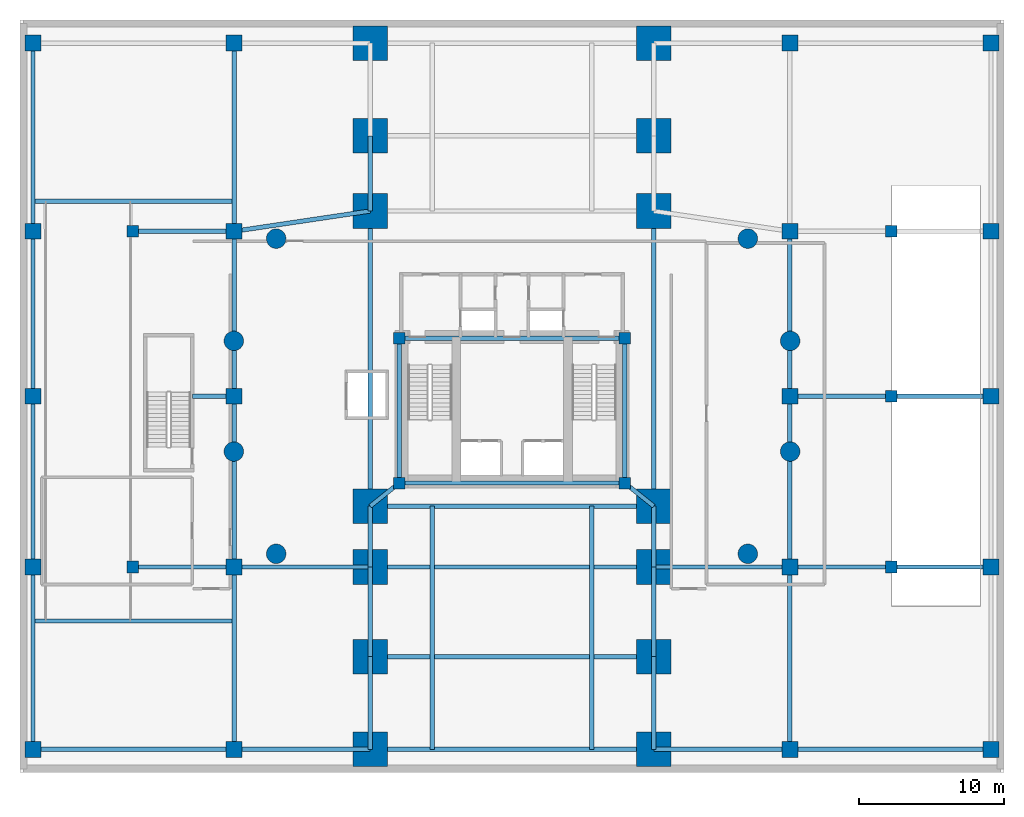
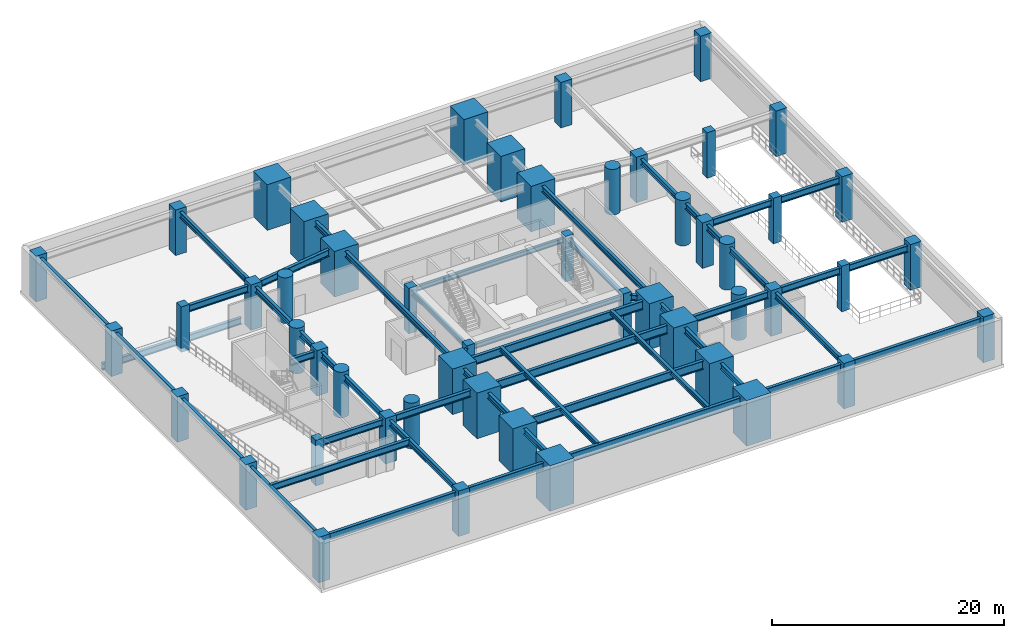
# One storey, part 1 of 7: 51 columns, 46 beams.
"""IFC4 building model written with IfcOpenShell, lengths in metres."""

from ifc_helpers import new_model, si_unit, direction, frame, origin, origin_2d, place, context, subcontext, project, spatial, rectangle, circle, i_section, extrude, material, material_profile, profile_set, type_object, element, save


model = new_model("IFC4")

# Units and contexts
model_context = context("Model", 3, precision=1e-05, world=origin(), true_north=direction((0.0, 1.0)))
body_context = subcontext(model_context, "Body", "Model", "MODEL_VIEW")
ifc_project = project(units=[si_unit("LENGTHUNIT", "METRE"), si_unit("AREAUNIT", "SQUARE_METRE"), si_unit("VOLUMEUNIT", "CUBIC_METRE"), si_unit("PLANEANGLEUNIT", "RADIAN"), si_unit("MASSUNIT", "GRAM", prefix="KILO"), si_unit("THERMODYNAMICTEMPERATUREUNIT", "KELVIN"), si_unit("POWERUNIT", "WATT")], contexts=[model_context])

# Site, building, storey
site_placement = place(None, origin())
site = spatial("IfcSite", under=ifc_project, at=site_placement, CompositionType="ELEMENT")
building_placement = place(site_placement, origin())
building = spatial("IfcBuilding", under=site, at=building_placement, Name="Ocrelia Relay Tower", CompositionType="ELEMENT")
storey_placement = place(building_placement, frame((0.0, 0.0, -4.800048828125)))
storey = spatial("IfcBuildingStorey", under=building, at=storey_placement, Name="B1", CompositionType="ELEMENT", Elevation=-4.800048828125)

# Columns
ifc_material_1 = material(Name="Concrete C70/85", Category="concrete")
ifc_material_profile_1 = material_profile(ifc_material_1, rectangle(XDim=1.10009765625, YDim=1.10009765625, at=origin_2d()), Name="RC-COL-1100x1100")
ifc_profile_set_1 = profile_set([ifc_material_profile_1], Name="Concrete C70/85")
column_type_1 = type_object("IfcColumnType", Name="COL-CC-1100", PredefinedType="COLUMN", material=ifc_profile_set_1)
for number, where, z_axis, x_axis, name in (
    (1, (0.89990234375, 1.60009765625, 0.0), (0.0, 0.0, 1.0), (1.0, 0.0, 0.0), "B1 Podium Column PC01"),
    (2, (0.89990234375, 14.199951171875, 0.0), (0.0, 0.0, 1.0), (1.0, 0.0, 0.0), "B1 Podium Column PC02"),
    (3, (0.89990234375, 26.0, 0.0), (0.0, 0.0, 1.0), (1.0, 0.0, 0.0), "B1 Podium Column PC03"),
    (4, (0.89990234375, 37.39990234375, 0.0), (0.0, 0.0, 1.0), (1.0, 0.0, 0.0), "B1 Podium Column PC04"),
    (5, (0.89990234375, 50.39990234375, 0.0), (0.0, 0.0, 1.0), (1.0, 0.0, 0.0), "B1 Podium Column PC05"),
    (6, (14.800048828125, 1.60009765625, 0.0), (0.0, 0.0, 1.0), (1.0, 0.0, 0.0), "B1 Podium Column PC06"),
    (7, (14.800048828125, 14.199951171875, 0.0), (0.0, 0.0, 1.0), (1.0, 0.0, 0.0), "B1 Podium Column PC07"),
    (8, (14.800048828125, 26.0, 0.0), (0.0, 0.0, 1.0), (1.0, 0.0, 0.0), "B1 Podium Column PC08"),
    (9, (14.800048828125, 37.39990234375, 0.0), (0.0, 0.0, 1.0), (1.0, 0.0, 0.0), "B1 Podium Column PC09"),
    (10, (14.800048828125, 50.39990234375, 0.0), (0.0, 0.0, 1.0), (1.0, 0.0, 0.0), "B1 Podium Column PC10"),
    (11, (53.199951171875, 1.60009765625, 0.0), (0.0, 0.0, 1.0), (1.0, 0.0, 0.0), "B1 Podium Column PC11"),
    (12, (53.199951171875, 14.199951171875, 0.0), (0.0, 0.0, 1.0), (1.0, 0.0, 0.0), "B1 Podium Column PC12"),
    (13, (53.199951171875, 26.0, 0.0), (0.0, 0.0, 1.0), (1.0, 0.0, 0.0), "B1 Podium Column PC13"),
    (14, (53.199951171875, 37.39990234375, 0.0), (0.0, 0.0, 1.0), (1.0, 0.0, 0.0), "B1 Podium Column PC14"),
    (15, (53.199951171875, 50.39990234375, 0.0), (0.0, 0.0, 1.0), (1.0, 0.0, 0.0), "B1 Podium Column PC15"),
    (16, (67.10009765625, 1.60009765625, 0.0), (0.0, 0.0, 1.0), (1.0, 0.0, 0.0), "B1 Podium Column PC16"),
    (17, (67.10009765625, 14.199951171875, 0.0), (0.0, 0.0, 1.0), (1.0, 0.0, 0.0), "B1 Podium Column PC17"),
    (18, (67.10009765625, 26.0, 0.0), (0.0, 0.0, 1.0), (1.0, 0.0, 0.0), "B1 Podium Column PC18"),
    (19, (67.10009765625, 37.39990234375, 0.0), (0.0, 0.0, 1.0), (1.0, 0.0, 0.0), "B1 Podium Column PC19"),
    (20, (67.10009765625, 50.39990234375, 0.0), (0.0, 0.0, 1.0), (1.0, 0.0, 0.0), "B1 Podium Column PC20"),
):
    element("IfcColumn", number, at=place(storey_placement, frame(where, z_axis=z_axis, x_axis=x_axis)), inside=storey, type_object=column_type_1, Name=name, PredefinedType="COLUMN", context=body_context, shape_type="SweptSolid", body=[
        extrude(rectangle(XDim=1.10009765625, YDim=1.10009765625, at=origin_2d()), origin(), (0.0, 0.0, 1.0), 4.800048828125),
    ])
ifc_material_2 = material(Name="Concrete C50/60", Category="concrete")
ifc_material_profile_2 = material_profile(ifc_material_2, rectangle(XDim=0.800048828125, YDim=0.800048828125, at=origin_2d()), Name="RC-COL-800x800")
ifc_profile_set_2 = profile_set([ifc_material_profile_2], Name="Concrete C50/60")
column_type_2 = type_object("IfcColumnType", Name="COL-CC-800", PredefinedType="COLUMN", material=ifc_profile_set_2)
for number, where, z_axis, x_axis, name in (
    (21, (7.800048828125, 14.199951171875, 0.0), (0.0, 0.0, 1.0), (1.0, 0.0, 0.0), "B1 Vehicle Ramp Well Trimmer Column W1"),
    (22, (7.800048828125, 37.39990234375, 0.0), (0.0, 0.0, 1.0), (1.0, 0.0, 0.0), "B1 Vehicle Ramp Well Trimmer Column W2"),
    (23, (60.199951171875, 14.199951171875, 0.0), (0.0, 0.0, 1.0), (1.0, 0.0, 0.0), "B1 Vehicle Ramp Well Trimmer Column E1"),
    (24, (60.199951171875, 26.0, 0.0), (0.0, 0.0, 1.0), (1.0, 0.0, 0.0), "B1 Vehicle Ramp Well Trimmer Column E2"),
    (25, (60.199951171875, 37.39990234375, 0.0), (0.0, 0.0, 1.0), (1.0, 0.0, 0.0), "B1 Vehicle Ramp Well Trimmer Column E3"),
):
    element("IfcColumn", number, at=place(storey_placement, frame(where, z_axis=z_axis, x_axis=x_axis)), inside=storey, type_object=column_type_2, Name=name, PredefinedType="COLUMN", context=body_context, shape_type="SweptSolid", body=[
        extrude(rectangle(XDim=0.800048828125, YDim=0.800048828125, at=origin_2d()), origin(), (0.0, 0.0, 1.0), 4.800048828125),
    ])
ifc_material_profile_3 = material_profile(ifc_material_1, circle(Radius=0.675048828125, at=origin_2d()), Name="RC-CIR-1350")
ifc_profile_set_3 = profile_set([ifc_material_profile_3], Name="Concrete C70/85")
column_type_3 = type_object("IfcColumnType", Name="COL-CT-1350", PredefinedType="COLUMN", material=ifc_profile_set_3)
for number, where, z_axis, x_axis, name in (
    (26, (53.223388671875, 29.82373046875, 0.0), (0.0, 0.0, 1.0), (1.0, 0.0, 0.0), "B1 Tower Ring Column Z1-01"),
    (27, (50.296875, 36.88916015625, 0.0), (0.0, 0.0, 1.0), (1.0, 0.0, 0.0), "B1 Tower Ring Column Z1-02"),
    (28, (17.703125, 36.88916015625, 0.0), (0.0, 0.0, 1.0), (1.0, 0.0, 0.0), "B1 Tower Ring Column Z1-07"),
    (29, (14.776611328125, 29.82373046875, 0.0), (0.0, 0.0, 1.0), (1.0, 0.0, 0.0), "B1 Tower Ring Column Z1-08"),
    (30, (14.776611328125, 22.17626953125, 0.0), (0.0, 0.0, 1.0), (1.0, 0.0, 0.0), "B1 Tower Ring Column Z1-09"),
    (31, (17.703125, 15.11083984375, 0.0), (0.0, 0.0, 1.0), (1.0, 0.0, 0.0), "B1 Tower Ring Column Z1-10"),
    (32, (50.296875, 15.11083984375, 0.0), (0.0, 0.0, 1.0), (1.0, 0.0, 0.0), "B1 Tower Ring Column Z1-15"),
    (33, (53.223388671875, 22.17626953125, 0.0), (0.0, 0.0, 1.0), (1.0, 0.0, 0.0), "B1 Tower Ring Column Z1-16"),
):
    element("IfcColumn", number, at=place(storey_placement, frame(where, z_axis=z_axis, x_axis=x_axis)), inside=storey, type_object=column_type_3, Name=name, PredefinedType="COLUMN", context=body_context, shape_type="SweptSolid", body=[
        extrude(circle(Radius=0.675048828125, at=origin_2d()), origin(), (0.0, 0.0, 1.0), 4.800048828125),
    ])
ifc_material_profile_4 = material_profile(ifc_material_1, rectangle(XDim=2.39990234375, YDim=2.39990234375, at=origin_2d()), Name="RC-PIER-2400x2400")
ifc_profile_set_4 = profile_set([ifc_material_profile_4], Name="Concrete C70/85")
column_type_4 = type_object("IfcColumnType", Name="COL-PIER-2400", PredefinedType="USERDEFINED", material=ifc_profile_set_4)
for number, where, z_axis, x_axis, name in (
    (34, (24.199951171875, 1.60009765625, 0.0), (0.0, 0.0, 1.0), (1.0, 0.0, 0.0), "B1 Portal Arch Pier P01"),
    (35, (24.199951171875, 8.0, 0.0), (0.0, 0.0, 1.0), (1.0, 0.0, 0.0), "B1 Portal Arch Pier P02"),
    (36, (24.199951171875, 14.199951171875, 0.0), (0.0, 0.0, 1.0), (1.0, 0.0, 0.0), "B1 Portal Arch Pier P03"),
    (37, (24.199951171875, 18.39990234375, 0.0), (0.0, 0.0, 1.0), (1.0, 0.0, 0.0), "B1 Portal Arch Pier P04"),
    (38, (24.199951171875, 38.800048828125, 0.0), (0.0, 0.0, 1.0), (1.0, 0.0, 0.0), "B1 Portal Arch Pier P05"),
    (39, (24.199951171875, 44.0, 0.0), (0.0, 0.0, 1.0), (1.0, 0.0, 0.0), "B1 Portal Arch Pier P06"),
    (40, (24.199951171875, 50.39990234375, 0.0), (0.0, 0.0, 1.0), (1.0, 0.0, 0.0), "B1 Portal Arch Pier P07"),
    (41, (43.800048828125, 1.60009765625, 0.0), (0.0, 0.0, 1.0), (1.0, 0.0, 0.0), "B1 Portal Arch Pier P08"),
    (42, (43.800048828125, 8.0, 0.0), (0.0, 0.0, 1.0), (1.0, 0.0, 0.0), "B1 Portal Arch Pier P09"),
    (43, (43.800048828125, 14.199951171875, 0.0), (0.0, 0.0, 1.0), (1.0, 0.0, 0.0), "B1 Portal Arch Pier P10"),
    (44, (43.800048828125, 18.39990234375, 0.0), (0.0, 0.0, 1.0), (1.0, 0.0, 0.0), "B1 Portal Arch Pier P11"),
    (45, (43.800048828125, 38.800048828125, 0.0), (0.0, 0.0, 1.0), (1.0, 0.0, 0.0), "B1 Portal Arch Pier P12"),
    (46, (43.800048828125, 44.0, 0.0), (0.0, 0.0, 1.0), (1.0, 0.0, 0.0), "B1 Portal Arch Pier P13"),
    (47, (43.800048828125, 50.39990234375, 0.0), (0.0, 0.0, 1.0), (1.0, 0.0, 0.0), "B1 Portal Arch Pier P14"),
):
    element("IfcColumn", number, at=place(storey_placement, frame(where, z_axis=z_axis, x_axis=x_axis)), inside=storey, type_object=column_type_4, Name=name, ObjectType="PORTAL PIER", PredefinedType="USERDEFINED", context=body_context, shape_type="SweptSolid", body=[
        extrude(rectangle(XDim=2.39990234375, YDim=2.39990234375, at=origin_2d()), origin(), (0.0, 0.0, 1.0), 4.800048828125),
    ])
ifc_material_3 = material(Name="Concrete C60/75", Category="concrete")
ifc_material_profile_5 = material_profile(ifc_material_3, rectangle(XDim=0.800048828125, YDim=0.800048828125, at=origin_2d()), Name="RC-COL-800x800")
ifc_profile_set_5 = profile_set([ifc_material_profile_5], Name="Concrete C60/75")
column_type_5 = type_object("IfcColumnType", Name="COL-PILASTER-800", PredefinedType="PILASTER", material=ifc_profile_set_5)
for number, where, z_axis, x_axis, name in (
    (48, (26.199951171875, 20.0, 0.0), (0.0, 0.0, 1.0), (1.0, 0.0, 0.0), "B1 Core Corner Pilaster SW"),
    (49, (41.800048828125, 20.0, 0.0), (0.0, 0.0, 1.0), (1.0, 0.0, 0.0), "B1 Core Corner Pilaster SE"),
    (50, (26.199951171875, 30.0, 0.0), (0.0, 0.0, 1.0), (1.0, 0.0, 0.0), "B1 Core Corner Pilaster NW"),
    (51, (41.800048828125, 30.0, 0.0), (0.0, 0.0, 1.0), (1.0, 0.0, 0.0), "B1 Core Corner Pilaster NE"),
):
    element("IfcColumn", number, at=place(storey_placement, frame(where, z_axis=z_axis, x_axis=x_axis)), inside=storey, type_object=column_type_5, Name=name, PredefinedType="PILASTER", context=body_context, shape_type="SweptSolid", body=[
        extrude(rectangle(XDim=0.800048828125, YDim=0.800048828125, at=origin_2d()), origin(), (0.0, 0.0, 1.0), 4.800048828125),
    ])

# Beams
ifc_material_4 = material(Name="Steel S355", Category="steel")
ifc_material_profile_6 = material_profile(ifc_material_4, i_section(OverallWidth=0.300048828125, OverallDepth=0.5, WebThickness=0.014404296875, FlangeThickness=0.028076171875, FilletRadius=0.027099609375, at=origin_2d()), Name="HEB 500")
ifc_profile_set_6 = profile_set([ifc_material_profile_6], Name="Steel S355")
beam_type_1 = type_object("IfcBeamType", Name="BM-HEB500", PredefinedType="BEAM", material=ifc_profile_set_6)
for number, where, z_axis, x_axis, name in (
    (52, (28.5, 1.60009765625, 4.35009765625), (0.0, 1.0, 0.0), (-1.0, 0.0, 0.0), "B1 Portal Passage Paving Stringer SW"),
    (53, (39.5, 1.60009765625, 4.35009765625), (0.0, 1.0, 0.0), (-1.0, 0.0, 0.0), "B1 Portal Passage Paving Stringer SE"),
):
    element("IfcBeam", number, at=place(storey_placement, frame(where, z_axis=z_axis, x_axis=x_axis)), inside=storey, type_object=beam_type_1, Name=name, PredefinedType="BEAM", context=body_context, shape_type="SweptSolid", body=[
        extrude(i_section(OverallWidth=0.300048828125, OverallDepth=0.5, WebThickness=0.014404296875, FlangeThickness=0.028076171875, FilletRadius=0.027099609375, at=origin_2d()), origin(), (0.0, 0.0, 1.0), 16.7998046875),
    ])
for number, where, z_axis, x_axis, name in (
    (54, (26.199951171875, 20.0, 4.22998046875), (1.0, 0.0, 0.0), (0.0, 1.0, 0.0), "B1 Core Pilaster Tie Beam S"),
    (55, (26.199951171875, 30.0, 4.22998046875), (1.0, 0.0, 0.0), (0.0, 1.0, 0.0), "B1 Core Pilaster Tie Beam N"),
):
    element("IfcBeam", number, at=place(storey_placement, frame(where, z_axis=z_axis, x_axis=x_axis)), inside=storey, type_object=beam_type_1, Name=name, PredefinedType="BEAM", context=body_context, shape_type="SweptSolid", body=[
        extrude(i_section(OverallWidth=0.300048828125, OverallDepth=0.5, WebThickness=0.014404296875, FlangeThickness=0.028076171875, FilletRadius=0.027099609375, at=origin_2d()), origin(), (0.0, 0.0, 1.0), 15.60009765625),
    ])
for number, where, z_axis, x_axis, name in (
    (56, (26.199951171875, 20.0, 4.22998046875), (0.0, 1.0, 0.0), (-1.0, 0.0, 0.0), "B1 Core Pilaster Tie Beam W"),
    (57, (41.800048828125, 20.0, 4.22998046875), (0.0, 1.0, 0.0), (-1.0, 0.0, 0.0), "B1 Core Pilaster Tie Beam E"),
):
    element("IfcBeam", number, at=place(storey_placement, frame(where, z_axis=z_axis, x_axis=x_axis)), inside=storey, type_object=beam_type_1, Name=name, PredefinedType="BEAM", context=body_context, shape_type="SweptSolid", body=[
        extrude(i_section(OverallWidth=0.300048828125, OverallDepth=0.5, WebThickness=0.014404296875, FlangeThickness=0.028076171875, FilletRadius=0.027099609375, at=origin_2d()), origin(), (0.0, 0.0, 1.0), 10.0),
    ])
ifc_material_profile_7 = material_profile(ifc_material_4, i_section(OverallWidth=0.300048828125, OverallDepth=0.60009765625, WebThickness=0.015380859375, FlangeThickness=0.030029296875, FilletRadius=0.027099609375, at=origin_2d()), Name="HEB 600")
ifc_profile_set_7 = profile_set([ifc_material_profile_7], Name="Steel S355")
beam_type_2 = type_object("IfcBeamType", Name="BM-HEB600", PredefinedType="BEAM", material=ifc_profile_set_7)
beam_1_placement = place(storey_placement, frame((0.89990234375, 1.60009765625, 4.179931640625), z_axis=(0.0, 1.0, 0.0), x_axis=(-1.0, 0.0, 0.0)))
element("IfcBeam", 58, at=beam_1_placement, inside=storey, type_object=beam_type_2, Name="B1 Podium Span Girder W-1", PredefinedType="BEAM", context=body_context, shape_type="SweptSolid", body=[
    extrude(i_section(OverallWidth=0.300048828125, OverallDepth=0.60009765625, WebThickness=0.015380859375, FlangeThickness=0.030029296875, FilletRadius=0.027099609375, at=origin_2d()), origin(), (0.0, 0.0, 1.0), 12.599853515625),
])
beam_2_placement = place(storey_placement, frame((0.89990234375, 14.199951171875, 4.179931640625), z_axis=(0.0, 1.0, 0.0), x_axis=(-1.0, 0.0, 0.0)))
element("IfcBeam", 59, at=beam_2_placement, inside=storey, type_object=beam_type_2, Name="B1 Podium Span Girder W-2", PredefinedType="BEAM", context=body_context, shape_type="SweptSolid", body=[
    extrude(i_section(OverallWidth=0.300048828125, OverallDepth=0.60009765625, WebThickness=0.015380859375, FlangeThickness=0.030029296875, FilletRadius=0.027099609375, at=origin_2d()), origin(), (0.0, 0.0, 1.0), 11.800048828125),
])
beam_3_placement = place(storey_placement, frame((0.89990234375, 26.0, 4.179931640625), z_axis=(0.0, 1.0, 0.0), x_axis=(-1.0, 0.0, 0.0)))
element("IfcBeam", 60, at=beam_3_placement, inside=storey, type_object=beam_type_2, Name="B1 Podium Span Girder W-3", PredefinedType="BEAM", context=body_context, shape_type="SweptSolid", body=[
    extrude(i_section(OverallWidth=0.300048828125, OverallDepth=0.60009765625, WebThickness=0.015380859375, FlangeThickness=0.030029296875, FilletRadius=0.027099609375, at=origin_2d()), origin(), (0.0, 0.0, 1.0), 11.39990234375),
])
beam_4_placement = place(storey_placement, frame((0.89990234375, 37.39990234375, 4.179931640625), z_axis=(0.0, 1.0, 0.0), x_axis=(-1.0, 0.0, 0.0)))
element("IfcBeam", 61, at=beam_4_placement, inside=storey, type_object=beam_type_2, Name="B1 Podium Span Girder W-4", PredefinedType="BEAM", context=body_context, shape_type="SweptSolid", body=[
    extrude(i_section(OverallWidth=0.300048828125, OverallDepth=0.60009765625, WebThickness=0.015380859375, FlangeThickness=0.030029296875, FilletRadius=0.027099609375, at=origin_2d()), origin(), (0.0, 0.0, 1.0), 13.0),
])
beam_5_placement = place(storey_placement, frame((14.800048828125, 1.60009765625, 4.179931640625), z_axis=(0.0, 1.0, 0.0), x_axis=(-1.0, 0.0, 0.0)))
element("IfcBeam", 62, at=beam_5_placement, inside=storey, type_object=beam_type_2, Name="B1 Podium Span Girder IW-1", PredefinedType="BEAM", context=body_context, shape_type="SweptSolid", body=[
    extrude(i_section(OverallWidth=0.300048828125, OverallDepth=0.60009765625, WebThickness=0.015380859375, FlangeThickness=0.030029296875, FilletRadius=0.027099609375, at=origin_2d()), origin(), (0.0, 0.0, 1.0), 12.599853515625),
])
beam_6_placement = place(storey_placement, frame((14.800048828125, 14.199951171875, 4.179931640625), z_axis=(0.0, 1.0, 0.0), x_axis=(-1.0, 0.0, 0.0)))
element("IfcBeam", 63, at=beam_6_placement, inside=storey, type_object=beam_type_2, Name="B1 Podium Span Girder IW-2", PredefinedType="BEAM", context=body_context, shape_type="SweptSolid", body=[
    extrude(i_section(OverallWidth=0.300048828125, OverallDepth=0.60009765625, WebThickness=0.015380859375, FlangeThickness=0.030029296875, FilletRadius=0.027099609375, at=origin_2d()), origin(), (0.0, 0.0, 1.0), 11.800048828125),
])
beam_7_placement = place(storey_placement, frame((14.800048828125, 26.0, 4.179931640625), z_axis=(0.0, 1.0, 0.0), x_axis=(-1.0, 0.0, 0.0)))
element("IfcBeam", 64, at=beam_7_placement, inside=storey, type_object=beam_type_2, Name="B1 Podium Span Girder IW-3", PredefinedType="BEAM", context=body_context, shape_type="SweptSolid", body=[
    extrude(i_section(OverallWidth=0.300048828125, OverallDepth=0.60009765625, WebThickness=0.015380859375, FlangeThickness=0.030029296875, FilletRadius=0.027099609375, at=origin_2d()), origin(), (0.0, 0.0, 1.0), 11.39990234375),
])
beam_8_placement = place(storey_placement, frame((14.800048828125, 37.39990234375, 4.179931640625), z_axis=(0.0, 1.0, 0.0), x_axis=(-1.0, 0.0, 0.0)))
element("IfcBeam", 65, at=beam_8_placement, inside=storey, type_object=beam_type_2, Name="B1 Podium Span Girder IW-4", PredefinedType="BEAM", context=body_context, shape_type="SweptSolid", body=[
    extrude(i_section(OverallWidth=0.300048828125, OverallDepth=0.60009765625, WebThickness=0.015380859375, FlangeThickness=0.030029296875, FilletRadius=0.027099609375, at=origin_2d()), origin(), (0.0, 0.0, 1.0), 13.0),
])
beam_9_placement = place(storey_placement, frame((53.199951171875, 1.60009765625, 4.179931640625), z_axis=(0.0, 1.0, 0.0), x_axis=(-1.0, 0.0, 0.0)))
element("IfcBeam", 66, at=beam_9_placement, inside=storey, type_object=beam_type_2, Name="B1 Podium Span Girder IE-1", PredefinedType="BEAM", context=body_context, shape_type="SweptSolid", body=[
    extrude(i_section(OverallWidth=0.300048828125, OverallDepth=0.60009765625, WebThickness=0.015380859375, FlangeThickness=0.030029296875, FilletRadius=0.027099609375, at=origin_2d()), origin(), (0.0, 0.0, 1.0), 12.599853515625),
])
beam_10_placement = place(storey_placement, frame((53.199951171875, 14.199951171875, 4.179931640625), z_axis=(0.0, 1.0, 0.0), x_axis=(-1.0, 0.0, 0.0)))
element("IfcBeam", 67, at=beam_10_placement, inside=storey, type_object=beam_type_2, Name="B1 Podium Span Girder IE-2", PredefinedType="BEAM", context=body_context, shape_type="SweptSolid", body=[
    extrude(i_section(OverallWidth=0.300048828125, OverallDepth=0.60009765625, WebThickness=0.015380859375, FlangeThickness=0.030029296875, FilletRadius=0.027099609375, at=origin_2d()), origin(), (0.0, 0.0, 1.0), 11.800048828125),
])
beam_11_placement = place(storey_placement, frame((53.199951171875, 26.0, 4.179931640625), z_axis=(0.0, 1.0, 0.0), x_axis=(-1.0, 0.0, 0.0)))
element("IfcBeam", 68, at=beam_11_placement, inside=storey, type_object=beam_type_2, Name="B1 Podium Span Girder IE-3", PredefinedType="BEAM", context=body_context, shape_type="SweptSolid", body=[
    extrude(i_section(OverallWidth=0.300048828125, OverallDepth=0.60009765625, WebThickness=0.015380859375, FlangeThickness=0.030029296875, FilletRadius=0.027099609375, at=origin_2d()), origin(), (0.0, 0.0, 1.0), 11.39990234375),
])
beam_12_placement = place(storey_placement, frame((24.199951171875, 1.60009765625, 4.179931640625), z_axis=(0.0, 1.0, 0.0), x_axis=(-1.0, 0.0, 0.0)))
element("IfcBeam", 69, at=beam_12_placement, inside=storey, type_object=beam_type_2, Name="B1 Pier Line Tie Girder AW-1", PredefinedType="BEAM", context=body_context, shape_type="SweptSolid", body=[
    extrude(i_section(OverallWidth=0.300048828125, OverallDepth=0.60009765625, WebThickness=0.015380859375, FlangeThickness=0.030029296875, FilletRadius=0.027099609375, at=origin_2d()), origin(), (0.0, 0.0, 1.0), 6.39990234375),
])
beam_13_placement = place(storey_placement, frame((24.199951171875, 8.0, 4.179931640625), z_axis=(0.0, 1.0, 0.0), x_axis=(-1.0, 0.0, 0.0)))
element("IfcBeam", 70, at=beam_13_placement, inside=storey, type_object=beam_type_2, Name="B1 Pier Line Tie Girder AW-2", PredefinedType="BEAM", context=body_context, shape_type="SweptSolid", body=[
    extrude(i_section(OverallWidth=0.300048828125, OverallDepth=0.60009765625, WebThickness=0.015380859375, FlangeThickness=0.030029296875, FilletRadius=0.027099609375, at=origin_2d()), origin(), (0.0, 0.0, 1.0), 6.199951171875),
])
beam_14_placement = place(storey_placement, frame((24.199951171875, 14.199951171875, 4.179931640625), z_axis=(0.0, 1.0, 0.0), x_axis=(-1.0, 0.0, 0.0)))
element("IfcBeam", 71, at=beam_14_placement, inside=storey, type_object=beam_type_2, Name="B1 Pier Line Tie Girder AW-3", PredefinedType="BEAM", context=body_context, shape_type="SweptSolid", body=[
    extrude(i_section(OverallWidth=0.300048828125, OverallDepth=0.60009765625, WebThickness=0.015380859375, FlangeThickness=0.030029296875, FilletRadius=0.027099609375, at=origin_2d()), origin(), (0.0, 0.0, 1.0), 4.199951171875),
])
beam_15_placement = place(storey_placement, frame((24.199951171875, 38.800048828125, 4.179931640625), z_axis=(0.0, 1.0, 0.0), x_axis=(-1.0, 0.0, 0.0)))
element("IfcBeam", 72, at=beam_15_placement, inside=storey, type_object=beam_type_2, Name="B1 Pier Line Tie Girder AW-4", PredefinedType="BEAM", context=body_context, shape_type="SweptSolid", body=[
    extrude(i_section(OverallWidth=0.300048828125, OverallDepth=0.60009765625, WebThickness=0.015380859375, FlangeThickness=0.030029296875, FilletRadius=0.027099609375, at=origin_2d()), origin(), (0.0, 0.0, 1.0), 5.199951171875),
])
beam_16_placement = place(storey_placement, frame((24.199951171875, 18.39990234375, 4.179931640625), z_axis=(0.0, 1.0, 0.0), x_axis=(-1.0, 0.0, 0.0)))
element("IfcBeam", 73, at=beam_16_placement, inside=storey, type_object=beam_type_2, Name="B1 Pier Line Tie Girder AW-6", PredefinedType="BEAM", context=body_context, shape_type="SweptSolid", body=[
    extrude(i_section(OverallWidth=0.300048828125, OverallDepth=0.60009765625, WebThickness=0.015380859375, FlangeThickness=0.030029296875, FilletRadius=0.027099609375, at=origin_2d()), origin(), (0.0, 0.0, 1.0), 20.400146484375),
])
beam_17_placement = place(storey_placement, frame((24.199951171875, 18.39990234375, 4.179931640625), z_axis=(0.78085021034, 0.624718295724, 0.0), x_axis=(-0.624718295724, 0.78085021034, 0.0)))
element("IfcBeam", 74, at=beam_17_placement, inside=storey, type_object=beam_type_2, Name="B1 Core Pilaster Link Girder AWS", PredefinedType="BEAM", context=body_context, shape_type="SweptSolid", body=[
    extrude(i_section(OverallWidth=0.300048828125, OverallDepth=0.60009765625, WebThickness=0.015380859375, FlangeThickness=0.030029296875, FilletRadius=0.027099609375, at=origin_2d()), origin(), (0.0, 0.0, 1.0), 2.561279296875),
])
beam_18_placement = place(storey_placement, frame((43.800048828125, 1.60009765625, 4.179931640625), z_axis=(0.0, 1.0, 0.0), x_axis=(-1.0, 0.0, 0.0)))
element("IfcBeam", 75, at=beam_18_placement, inside=storey, type_object=beam_type_2, Name="B1 Pier Line Tie Girder AE-1", PredefinedType="BEAM", context=body_context, shape_type="SweptSolid", body=[
    extrude(i_section(OverallWidth=0.300048828125, OverallDepth=0.60009765625, WebThickness=0.015380859375, FlangeThickness=0.030029296875, FilletRadius=0.027099609375, at=origin_2d()), origin(), (0.0, 0.0, 1.0), 6.39990234375),
])
beam_19_placement = place(storey_placement, frame((43.800048828125, 8.0, 4.179931640625), z_axis=(0.0, 1.0, 0.0), x_axis=(-1.0, 0.0, 0.0)))
element("IfcBeam", 76, at=beam_19_placement, inside=storey, type_object=beam_type_2, Name="B1 Pier Line Tie Girder AE-2", PredefinedType="BEAM", context=body_context, shape_type="SweptSolid", body=[
    extrude(i_section(OverallWidth=0.300048828125, OverallDepth=0.60009765625, WebThickness=0.015380859375, FlangeThickness=0.030029296875, FilletRadius=0.027099609375, at=origin_2d()), origin(), (0.0, 0.0, 1.0), 6.199951171875),
])
beam_20_placement = place(storey_placement, frame((43.800048828125, 14.199951171875, 4.179931640625), z_axis=(0.0, 1.0, 0.0), x_axis=(-1.0, 0.0, 0.0)))
element("IfcBeam", 77, at=beam_20_placement, inside=storey, type_object=beam_type_2, Name="B1 Pier Line Tie Girder AE-3", PredefinedType="BEAM", context=body_context, shape_type="SweptSolid", body=[
    extrude(i_section(OverallWidth=0.300048828125, OverallDepth=0.60009765625, WebThickness=0.015380859375, FlangeThickness=0.030029296875, FilletRadius=0.027099609375, at=origin_2d()), origin(), (0.0, 0.0, 1.0), 4.199951171875),
])
beam_21_placement = place(storey_placement, frame((43.800048828125, 18.39990234375, 4.179931640625), z_axis=(0.0, 1.0, 0.0), x_axis=(-1.0, 0.0, 0.0)))
element("IfcBeam", 78, at=beam_21_placement, inside=storey, type_object=beam_type_2, Name="B1 Pier Line Tie Girder AE-6", PredefinedType="BEAM", context=body_context, shape_type="SweptSolid", body=[
    extrude(i_section(OverallWidth=0.300048828125, OverallDepth=0.60009765625, WebThickness=0.015380859375, FlangeThickness=0.030029296875, FilletRadius=0.027099609375, at=origin_2d()), origin(), (0.0, 0.0, 1.0), 20.400146484375),
])
beam_22_placement = place(storey_placement, frame((43.800048828125, 18.39990234375, 4.179931640625), z_axis=(-0.78085021034, 0.624718295724, 0.0), x_axis=(-0.624718295724, -0.78085021034, 0.0)))
element("IfcBeam", 79, at=beam_22_placement, inside=storey, type_object=beam_type_2, Name="B1 Core Pilaster Link Girder AES", PredefinedType="BEAM", context=body_context, shape_type="SweptSolid", body=[
    extrude(i_section(OverallWidth=0.300048828125, OverallDepth=0.60009765625, WebThickness=0.015380859375, FlangeThickness=0.030029296875, FilletRadius=0.027099609375, at=origin_2d()), origin(), (0.0, 0.0, 1.0), 2.561279296875),
])
ifc_material_profile_8 = material_profile(ifc_material_4, i_section(OverallWidth=0.300048828125, OverallDepth=0.699951171875, WebThickness=0.01708984375, FlangeThickness=0.031982421875, FilletRadius=0.027099609375, at=origin_2d()), Name="HEB 700")
ifc_profile_set_8 = profile_set([ifc_material_profile_8], Name="Steel S355")
beam_type_3 = type_object("IfcBeamType", Name="BM-HEB700", PredefinedType="BEAM", material=ifc_profile_set_8)
beam_23_placement = place(storey_placement, frame((0.89990234375, 1.60009765625, 4.130126953125), z_axis=(1.0, 0.0, 0.0), x_axis=(0.0, 1.0, 0.0)))
element("IfcBeam", 80, at=beam_23_placement, inside=storey, type_object=beam_type_3, Name="B1 West Outer Podium Girder S", PredefinedType="BEAM", context=body_context, shape_type="SweptSolid", body=[
    extrude(i_section(OverallWidth=0.300048828125, OverallDepth=0.699951171875, WebThickness=0.01708984375, FlangeThickness=0.031982421875, FilletRadius=0.027099609375, at=origin_2d()), origin(), (0.0, 0.0, 1.0), 13.900146484375),
])
for number, where, z_axis, x_axis, name in (
    (81, (14.800048828125, 1.60009765625, 4.130126953125), (1.0, 0.0, 0.0), (0.0, 1.0, 0.0), "B1 West Inner Podium Girder S"),
    (82, (43.800048828125, 1.60009765625, 4.130126953125), (1.0, 0.0, 0.0), (0.0, 1.0, 0.0), "B1 East Inner Podium Girder S"),
):
    element("IfcBeam", number, at=place(storey_placement, frame(where, z_axis=z_axis, x_axis=x_axis)), inside=storey, type_object=beam_type_3, Name=name, PredefinedType="BEAM", context=body_context, shape_type="SweptSolid", body=[
        extrude(i_section(OverallWidth=0.300048828125, OverallDepth=0.699951171875, WebThickness=0.01708984375, FlangeThickness=0.031982421875, FilletRadius=0.027099609375, at=origin_2d()), origin(), (0.0, 0.0, 1.0), 9.39990234375),
    ])
beam_24_placement = place(storey_placement, frame((53.199951171875, 1.60009765625, 4.130126953125), z_axis=(1.0, 0.0, 0.0), x_axis=(0.0, 1.0, 0.0)))
element("IfcBeam", 83, at=beam_24_placement, inside=storey, type_object=beam_type_3, Name="B1 East Outer Podium Girder S", PredefinedType="BEAM", context=body_context, shape_type="SweptSolid", body=[
    extrude(i_section(OverallWidth=0.300048828125, OverallDepth=0.699951171875, WebThickness=0.01708984375, FlangeThickness=0.031982421875, FilletRadius=0.027099609375, at=origin_2d()), origin(), (0.0, 0.0, 1.0), 13.900146484375),
])
beam_25_placement = place(storey_placement, frame((7.800048828125, 14.199951171875, 4.130126953125), z_axis=(1.0, 0.0, 0.0), x_axis=(0.0, 1.0, 0.0)))
element("IfcBeam", 84, at=beam_25_placement, inside=storey, type_object=beam_type_3, Name="B1 West Outer Podium Girder M1", PredefinedType="BEAM", context=body_context, shape_type="SweptSolid", body=[
    extrude(i_section(OverallWidth=0.300048828125, OverallDepth=0.699951171875, WebThickness=0.01708984375, FlangeThickness=0.031982421875, FilletRadius=0.027099609375, at=origin_2d()), origin(), (0.0, 0.0, 1.0), 7.0),
])
for number, where, z_axis, x_axis, name in (
    (85, (14.800048828125, 14.199951171875, 4.130126953125), (1.0, 0.0, 0.0), (0.0, 1.0, 0.0), "B1 West Inner Podium Girder M1"),
    (86, (43.800048828125, 14.199951171875, 4.130126953125), (1.0, 0.0, 0.0), (0.0, 1.0, 0.0), "B1 East Inner Podium Girder M1"),
):
    element("IfcBeam", number, at=place(storey_placement, frame(where, z_axis=z_axis, x_axis=x_axis)), inside=storey, type_object=beam_type_3, Name=name, PredefinedType="BEAM", context=body_context, shape_type="SweptSolid", body=[
        extrude(i_section(OverallWidth=0.300048828125, OverallDepth=0.699951171875, WebThickness=0.01708984375, FlangeThickness=0.031982421875, FilletRadius=0.027099609375, at=origin_2d()), origin(), (0.0, 0.0, 1.0), 9.39990234375),
    ])
beam_26_placement = place(storey_placement, frame((53.199951171875, 14.199951171875, 4.130126953125), z_axis=(1.0, 0.0, 0.0), x_axis=(0.0, 1.0, 0.0)))
element("IfcBeam", 87, at=beam_26_placement, inside=storey, type_object=beam_type_3, Name="B1 East Outer Podium Girder M1", PredefinedType="BEAM", context=body_context, shape_type="SweptSolid", body=[
    extrude(i_section(OverallWidth=0.300048828125, OverallDepth=0.699951171875, WebThickness=0.01708984375, FlangeThickness=0.031982421875, FilletRadius=0.027099609375, at=origin_2d()), origin(), (0.0, 0.0, 1.0), 13.900146484375),
])
beam_27_placement = place(storey_placement, frame((7.800048828125, 37.39990234375, 4.130126953125), z_axis=(1.0, 0.0, 0.0), x_axis=(0.0, 1.0, 0.0)))
element("IfcBeam", 88, at=beam_27_placement, inside=storey, type_object=beam_type_3, Name="B1 West Outer Podium Girder M2", PredefinedType="BEAM", context=body_context, shape_type="SweptSolid", body=[
    extrude(i_section(OverallWidth=0.300048828125, OverallDepth=0.699951171875, WebThickness=0.01708984375, FlangeThickness=0.031982421875, FilletRadius=0.027099609375, at=origin_2d()), origin(), (0.0, 0.0, 1.0), 7.0),
])
beam_28_placement = place(storey_placement, frame((14.800048828125, 37.39990234375, 4.130126953125), z_axis=(0.989087708935, 0.14732787935, 0.0), x_axis=(-0.14732787935, 0.989087708935, 0.0)))
element("IfcBeam", 89, at=beam_28_placement, inside=storey, type_object=beam_type_3, Name="B1 West Inner Podium Girder M2", PredefinedType="BEAM", context=body_context, shape_type="SweptSolid", body=[
    extrude(i_section(OverallWidth=0.300048828125, OverallDepth=0.699951171875, WebThickness=0.01708984375, FlangeThickness=0.031982421875, FilletRadius=0.027099609375, at=origin_2d()), origin(), (0.0, 0.0, 1.0), 9.503662109375),
])
beam_29_placement = place(storey_placement, frame((11.907958984375, 26.0, 4.130126953125), z_axis=(1.0, 0.0, 0.0), x_axis=(0.0, 1.0, 0.0)))
element("IfcBeam", 90, at=beam_29_placement, inside=storey, type_object=beam_type_3, Name="B1 West Mid Podium Girder Inner", PredefinedType="BEAM", context=body_context, shape_type="SweptSolid", body=[
    extrude(i_section(OverallWidth=0.300048828125, OverallDepth=0.699951171875, WebThickness=0.01708984375, FlangeThickness=0.031982421875, FilletRadius=0.027099609375, at=origin_2d()), origin(), (0.0, 0.0, 1.0), 2.89208984375),
])
for number, where, z_axis, x_axis, name in (
    (91, (53.199951171875, 26.0, 4.130126953125), (1.0, 0.0, 0.0), (0.0, 1.0, 0.0), "B1 East Mid Podium Girder"),
    (92, (0.89990234375, 39.469970703125, -0.669921875), (1.0, 0.0, 0.0), (0.0, 1.0, 0.0), "B1 West Vehicle Ramp Toe Support Girder"),
    (93, (0.89990234375, 10.469970703125, 4.130126953125), (1.0, 0.0, 0.0), (0.0, 1.0, 0.0), "B1 West Vehicle Ramp Arrival Header Girder"),
):
    element("IfcBeam", number, at=place(storey_placement, frame(where, z_axis=z_axis, x_axis=x_axis)), inside=storey, type_object=beam_type_3, Name=name, PredefinedType="BEAM", context=body_context, shape_type="SweptSolid", body=[
        extrude(i_section(OverallWidth=0.300048828125, OverallDepth=0.699951171875, WebThickness=0.01708984375, FlangeThickness=0.031982421875, FilletRadius=0.027099609375, at=origin_2d()), origin(), (0.0, 0.0, 1.0), 13.900146484375),
    ])
ifc_material_profile_9 = material_profile(ifc_material_4, i_section(OverallWidth=0.300048828125, OverallDepth=0.89990234375, WebThickness=0.0185546875, FlangeThickness=0.034912109375, FilletRadius=0.030029296875, at=origin_2d()), Name="HEB 900")
ifc_profile_set_9 = profile_set([ifc_material_profile_9], Name="Steel S355")
beam_type_4 = type_object("IfcBeamType", Name="BM-HEB900", PredefinedType="BEAM", material=ifc_profile_set_9)
for number, where, z_axis, x_axis, name in (
    (94, (24.199951171875, 1.60009765625, 4.030029296875), (1.0, 0.0, 0.0), (0.0, 1.0, 0.0), "B1 Portal Arch Span Transfer Girder G1"),
    (95, (24.199951171875, 8.0, 4.030029296875), (1.0, 0.0, 0.0), (0.0, 1.0, 0.0), "B1 Portal Arch Span Transfer Girder G2"),
    (96, (24.199951171875, 14.199951171875, 4.030029296875), (1.0, 0.0, 0.0), (0.0, 1.0, 0.0), "B1 Portal Arch Span Transfer Girder G3"),
    (97, (24.199951171875, 18.39990234375, 4.030029296875), (1.0, 0.0, 0.0), (0.0, 1.0, 0.0), "B1 Portal Arch Span Transfer Girder G4"),
):
    element("IfcBeam", number, at=place(storey_placement, frame(where, z_axis=z_axis, x_axis=x_axis)), inside=storey, type_object=beam_type_4, Name=name, PredefinedType="BEAM", context=body_context, shape_type="SweptSolid", body=[
        extrude(i_section(OverallWidth=0.300048828125, OverallDepth=0.89990234375, WebThickness=0.0185546875, FlangeThickness=0.034912109375, FilletRadius=0.030029296875, at=origin_2d()), origin(), (0.0, 0.0, 1.0), 19.60009765625),
    ])

save(model, "model.ifc")
